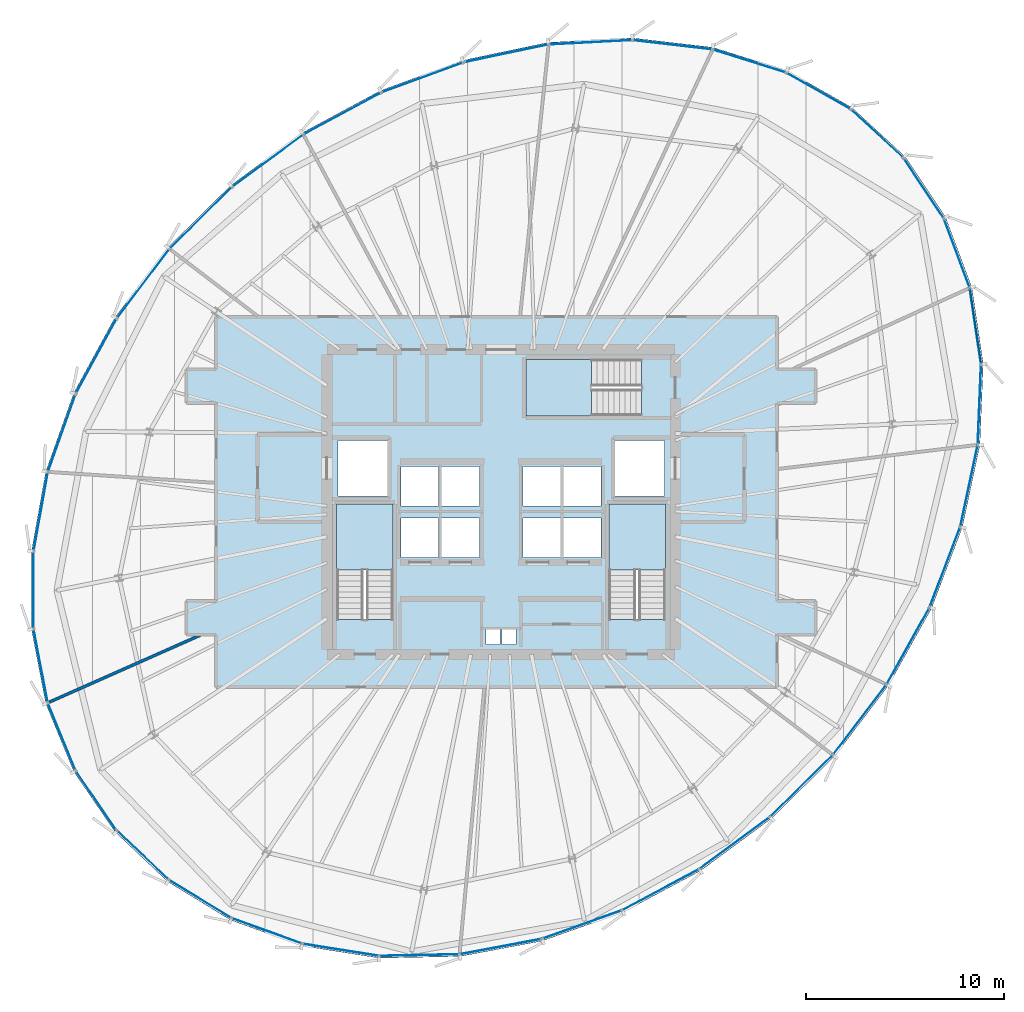
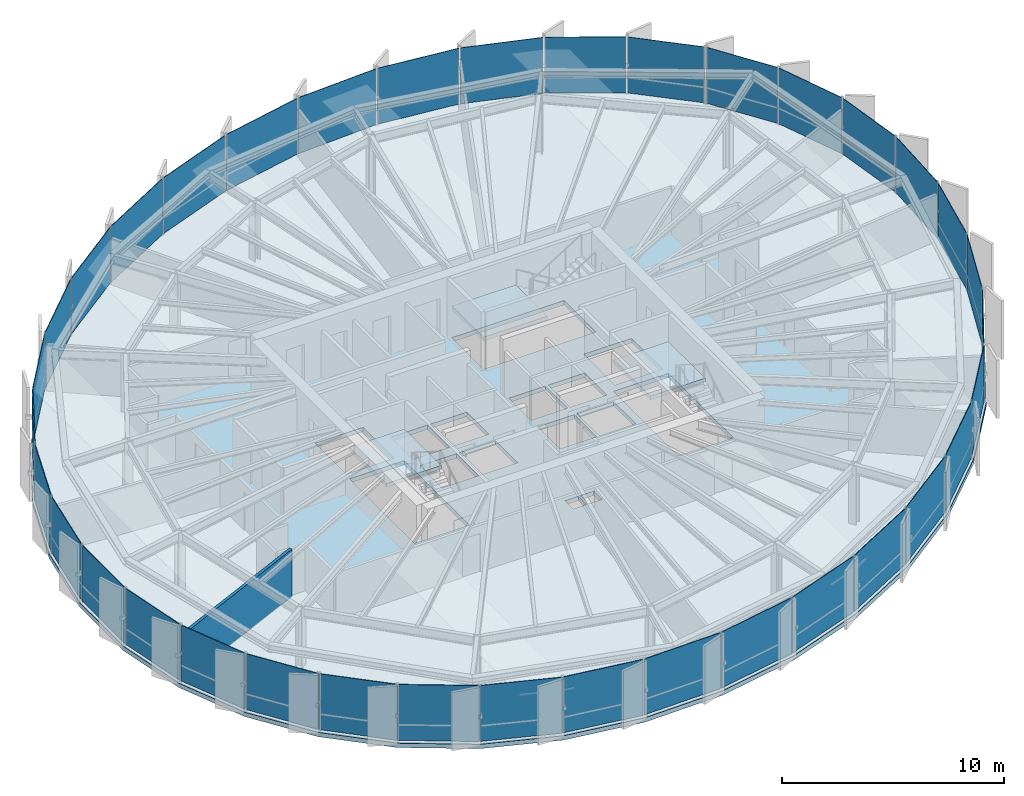
# One storey, part 30 of 36: 36 plates, 4 slabs, 1 member, 1 wall, 9 elements without a shape of their own.
"""IFC4 building model written with IfcOpenShell, lengths in metres."""

from ifc_helpers import new_model, si_unit, direction, frame, frame_2d, origin, origin_2d, place, context, subcontext, project, spatial, polyline, rectangle, hollow_rectangle, outline, extrude, source, transform, mapped, material, layer, layer_set, material_profile, profile_set, type_object, element, aggregate, save


model = new_model("IFC4")

# Units and contexts
model_context = context("Model", 3, precision=1e-05, world=origin(), true_north=direction((0.0, 1.0)))
body_context = subcontext(model_context, "Body", "Model", "MODEL_VIEW")
ifc_project = project(units=[si_unit("LENGTHUNIT", "METRE"), si_unit("AREAUNIT", "SQUARE_METRE"), si_unit("VOLUMEUNIT", "CUBIC_METRE"), si_unit("PLANEANGLEUNIT", "RADIAN"), si_unit("MASSUNIT", "GRAM", prefix="KILO"), si_unit("THERMODYNAMICTEMPERATUREUNIT", "KELVIN")], contexts=[model_context])

# Site, building, storey
site_placement = place(None, origin())
site = spatial("IfcSite", under=ifc_project, at=site_placement, CompositionType="ELEMENT")
building_placement = place(site_placement, origin())
building = spatial("IfcBuilding", under=site, at=building_placement, Name="Kethvar Cultural Tower", CompositionType="ELEMENT")
storey_placement = place(building_placement, frame((0.0, 0.0, 197.39990234375)))
storey = spatial("IfcBuildingStorey", under=building, at=storey_placement, Name="L51", CompositionType="ELEMENT", Elevation=197.39990234375)

# Curtain wall, member
ifc_material_1 = material(Name="Aluminium 6063-T6", Category="aluminium")
ifc_layer_1 = layer(ifc_material_1, 0.179931640625, Name="Aluminium 6063-T6", Category="aluminium")
ifc_layer_set_1 = layer_set([ifc_layer_1], Name="Aluminium 6063-T6 (180 mm)")
curtain_wall_type = type_object("IfcCurtainWallType", Name="CW-SYS-04-Z34", PredefinedType="NOTDEFINED", material=ifc_layer_set_1)
curtain_wall_1_placement = place(storey_placement, origin())
curtain_wall_1 = element("IfcCurtainWall", 1, at=curtain_wall_1_placement, inside=storey, type_object=curtain_wall_type, Name="L51 Curtain Wall Run 06", PredefinedType="NOTDEFINED")
ifc_material_profile = material_profile(ifc_material_1, hollow_rectangle(XDim=0.050048828125, YDim=0.10009765625, WallThickness=0.00390625, at=origin_2d()), Name="Aluminium 6063-T6 — RHS100x50x4")
ifc_profile_set = profile_set([ifc_material_profile], Name="Aluminium 6063-T6 — RHS100x50x4")
member_type = type_object("IfcMemberType", Name="CW-SYS-04-Z34-TRN", PredefinedType="USERDEFINED", material=ifc_profile_set)
shared_shape_1 = source(origin(), body_context, "Body", "SweptSolid", [
    extrude(hollow_rectangle(XDim=0.050048828125, YDim=0.10009765625, WallThickness=0.00390625, at=origin_2d()), origin(), (0.0, 0.0, 1.0), 3.8349609375),
])
member_placement = place(storey_placement, frame((71.055419921875, 34.806396484375, 0.9501953125), z_axis=(-0.147060848495, 0.989127447218, 0.0), x_axis=(-0.989127447218, -0.147060848495, 0.0)))
member = element("IfcMember", 2, at=member_placement, type_object=member_type, Name="CW-L51-R06 Transom 4", ObjectType="TRANSOM", PredefinedType="USERDEFINED", context=body_context, shape_type="MappedRepresentation", body=[
    mapped(shared_shape_1, transform((0.0, 0.0, 0.0), scale=1.0)),
])

# Stair, slab
ifc_material_2 = material(Name="Concrete C40/50", Category="concrete")
stair_type = type_object("IfcStairType", Name="ST-DOGLEG-135", PredefinedType="HALF_TURN_STAIR", material=ifc_material_2)
stair_1_placement = place(storey_placement, origin())
stair_1 = element("IfcStair", 3, at=stair_1_placement, inside=storey, type_object=stair_type, Name="L51 Core Exit Stair 1", PredefinedType="HALF_TURN_STAIR")
ifc_layer_2 = layer(ifc_material_2, 0.199951171875, Name="Concrete C40/50", Category="concrete")
ifc_layer_set_2 = layer_set([ifc_layer_2], Name="Concrete C40/50 (200 mm)")
slab_type_1 = type_object("IfcSlabType", Name="SL-STAIR-LANDING-200", PredefinedType="LANDING", material=ifc_layer_set_2)
slab_1_placement = place(storey_placement, frame((0.0, 0.0, 1.550048828125)))
slab_1 = element("IfcSlab", 4, at=slab_1_placement, type_object=slab_type_1, Name="ST-01 landing 1", PredefinedType="LANDING", context=body_context, shape_type="SweptSolid", body=[
    extrude(outline(polyline([(41.35009765625, 24.3701171875), (41.35009765625, 27.699951171875), (38.489990234375, 27.699951171875), (38.489990234375, 24.3701171875), (41.35009765625, 24.3701171875)])), origin(), (0.0, 0.0, 1.0), 0.199951171875),
])
aggregate(stair_1, [slab_1])

stair_2_placement = place(storey_placement, origin())
stair_2 = element("IfcStair", 5, at=stair_2_placement, inside=storey, type_object=stair_type, Name="L51 Core Exit Stair 2", PredefinedType="HALF_TURN_STAIR")
slab_2_placement = place(storey_placement, frame((0.0, 0.0, 1.550048828125)))
slab_2 = element("IfcSlab", 6, at=slab_2_placement, type_object=slab_type_1, Name="ST-02 landing 1", PredefinedType="LANDING", context=body_context, shape_type="SweptSolid", body=[
    extrude(outline(polyline([(55.110107421875, 24.3701171875), (55.110107421875, 27.699951171875), (52.25, 27.699951171875), (52.25, 24.3701171875), (55.110107421875, 24.3701171875)])), origin(), (0.0, 0.0, 1.0), 0.199951171875),
])
aggregate(stair_2, [slab_2])

stair_3_placement = place(storey_placement, origin())
stair_3 = element("IfcStair", 7, at=stair_3_placement, inside=storey, type_object=stair_type, Name="L51 Core Exit Stair 3", PredefinedType="HALF_TURN_STAIR")
slab_3_placement = place(storey_placement, frame((0.0, 0.0, 1.550048828125)))
slab_3 = element("IfcSlab", 8, at=slab_3_placement, type_object=slab_type_1, Name="ST-03 landing 1", PredefinedType="LANDING", context=body_context, shape_type="SweptSolid", body=[
    extrude(outline(polyline([(51.3798828125, 35.010009765625), (48.050048828125, 35.010009765625), (48.050048828125, 32.14990234375), (51.3798828125, 32.14990234375), (51.3798828125, 35.010009765625)])), origin(), (0.0, 0.0, 1.0), 0.199951171875),
])
aggregate(stair_3, [slab_3])

# Slab
ifc_layer_3 = layer(ifc_material_2, 0.239990234375, Name="Concrete C40/50", Category="concrete")
ifc_layer_set_3 = layer_set([ifc_layer_3], Name="Concrete C40/50 (240 mm)")
slab_type_2 = type_object("IfcSlabType", Name="SL-TOW-240", PredefinedType="FLOOR", material=ifc_layer_set_3)
slab_4_placement = place(storey_placement, frame((0.0, 0.0, -0.239990234375)))
element("IfcSlab", 9, at=slab_4_placement, inside=storey, type_object=slab_type_2, Name="L51 Structural Floor Slab", PredefinedType="FLOOR", context=body_context, shape_type="SweptSolid", body=[
    extrude(outline(polyline([(67.228759765625, 45.247802734375), (64.525146484375, 47.743408203125), (61.246826171875, 49.602294921875), (57.50634765625, 50.77880859375), (53.435791015625, 51.2529296875), (49.1796875, 51.0283203125), (44.8857421875, 50.12744140625), (40.697021484375, 48.58837890625), (36.74365234375, 46.460205078125), (33.135498046875, 43.799072265625), (29.9541015625, 40.661376953125), (27.28466796875, 37.133056640625), (25.2080078125, 33.3212890625), (23.78759765625, 29.341552734375), (23.06640625, 25.315185546875), (23.066162109375, 21.3642578125), (23.787109375, 17.608642578125), (25.20751953125, 14.162841796875), (27.28369140625, 11.131591796875), (29.952880859375, 8.606689453125), (33.13427734375, 6.664794921875), (36.730712890625, 5.365234375), (40.633056640625, 4.747314453125), (44.72265625, 4.829833984375), (48.87548828125, 5.6103515625), (52.96533203125, 7.06494140625), (56.867919921875, 9.149658203125), (60.46435546875, 11.801025390625), (63.6572265625, 14.948486328125), (66.377685546875, 18.520263671875), (68.55322265625, 22.41650390625), (70.114501953125, 26.5166015625), (71.002197265625, 30.68505859375), (71.170654296875, 34.77978515625), (70.593994140625, 38.658447265625), (69.270751953125, 42.18701171875), (67.228759765625, 45.247802734375)]), holes=[polyline([(38.489990234375, 21.85009765625), (38.489990234375, 27.699951171875), (41.35009765625, 27.699951171875), (41.35009765625, 21.85009765625), (38.489990234375, 21.85009765625)]), polyline([(52.25, 21.85009765625), (52.25, 27.699951171875), (55.110107421875, 27.699951171875), (55.110107421875, 21.85009765625), (52.25, 21.85009765625)]), polyline([(53.89990234375, 32.14990234375), (48.050048828125, 32.14990234375), (48.050048828125, 35.010009765625), (53.89990234375, 35.010009765625), (53.89990234375, 32.14990234375)]), polyline([(41.75, 27.0), (43.64990234375, 27.0), (43.64990234375, 25.0), (41.75, 25.0), (41.75, 27.0)]), polyline([(43.800048828125, 27.0), (45.699951171875, 27.0), (45.699951171875, 25.0), (43.800048828125, 25.0), (43.800048828125, 27.0)]), polyline([(47.89990234375, 27.0), (49.800048828125, 27.0), (49.800048828125, 25.0), (47.89990234375, 25.0), (47.89990234375, 27.0)]), polyline([(49.949951171875, 27.0), (51.85009765625, 27.0), (51.85009765625, 25.0), (49.949951171875, 25.0), (49.949951171875, 27.0)]), polyline([(41.75, 29.60009765625), (43.64990234375, 29.60009765625), (43.64990234375, 27.60009765625), (41.75, 27.60009765625), (41.75, 29.60009765625)]), polyline([(43.800048828125, 29.60009765625), (45.699951171875, 29.60009765625), (45.699951171875, 27.60009765625), (43.800048828125, 27.60009765625), (43.800048828125, 29.60009765625)]), polyline([(47.89990234375, 29.60009765625), (49.800048828125, 29.60009765625), (49.800048828125, 27.60009765625), (47.89990234375, 27.60009765625), (47.89990234375, 29.60009765625)]), polyline([(49.949951171875, 29.60009765625), (51.85009765625, 29.60009765625), (51.85009765625, 27.60009765625), (49.949951171875, 27.60009765625), (49.949951171875, 29.60009765625)]), polyline([(38.550048828125, 30.89990234375), (41.050048828125, 30.89990234375), (41.050048828125, 28.10009765625), (38.550048828125, 28.10009765625), (38.550048828125, 30.89990234375)]), polyline([(52.550048828125, 30.89990234375), (55.050048828125, 30.89990234375), (55.050048828125, 28.10009765625), (52.550048828125, 28.10009765625), (52.550048828125, 30.89990234375)]), polyline([(46.050048828125, 21.35009765625), (46.75, 21.35009765625), (46.75, 20.60009765625), (46.050048828125, 20.60009765625), (46.050048828125, 21.35009765625)]), polyline([(46.85009765625, 21.35009765625), (47.550048828125, 21.35009765625), (47.550048828125, 20.60009765625), (46.85009765625, 20.60009765625), (46.85009765625, 21.35009765625)])]), origin(), (0.0, 0.0, 1.0), 0.239990234375),
])

# Curtain wall, plate
curtain_wall_2_placement = place(storey_placement, origin())
curtain_wall_2 = element("IfcCurtainWall", 10, at=curtain_wall_2_placement, inside=storey, type_object=curtain_wall_type, Name="L51 Curtain Wall Run 04", PredefinedType="NOTDEFINED")
ifc_material_3 = material(Name="Insulated Low-E Solar Glass", Category="glass")
ifc_layer_4 = layer(ifc_material_3, 0.030029296875, Name="Insulated Low-E Solar Glass", Category="glass")
ifc_layer_set_4 = layer_set([ifc_layer_4], Name="Insulated Low-E Solar Glass (30 mm)")
plate_type = type_object("IfcPlateType", Name="CW-SYS-04-Z34-PNL", PredefinedType="CURTAIN_PANEL", material=ifc_layer_set_4)
shared_shape_2 = source(origin(), body_context, "Body", "SweptSolid", [
    extrude(rectangle(XDim=3.73779296875, YDim=0.030029296875, at=origin_2d()), origin(), (0.0, 0.0, 1.0), 3.080078125),
])
plate_1_placement = place(storey_placement, frame((34.9697265625, 6.118408203125, 0.090087890625), z_axis=(0.0, 0.0, 1.0), x_axis=(0.940478084153, -0.339854341194, 0.0)))
plate_1 = element("IfcPlate", 11, at=plate_1_placement, type_object=plate_type, Name="CW-L51-R04 Vision Glazing Panel 3", PredefinedType="CURTAIN_PANEL", context=body_context, shape_type="MappedRepresentation", body=[
    mapped(shared_shape_2, transform((0.0, 0.0, 0.0), scale=1.0)),
])

curtain_wall_3_placement = place(storey_placement, origin())
curtain_wall_3 = element("IfcCurtainWall", 12, at=curtain_wall_3_placement, inside=storey, type_object=curtain_wall_type, Name="L51 Curtain Wall Run 01", PredefinedType="NOTDEFINED")
shared_shape_3 = source(origin(), body_context, "Body", "SweptSolid", [
    extrude(rectangle(XDim=3.682373046875, YDim=0.030029296875, at=origin_2d()), origin(), (0.0, 0.0, 1.0), 3.080078125),
])
plate_2_placement = place(storey_placement, frame((62.831787109375, 48.5771484375, 0.090087890625), z_axis=(0.0, 0.0, 1.0), x_axis=(-0.869899819777, 0.493228449658, 0.0)))
plate_2 = element("IfcPlate", 13, at=plate_2_placement, type_object=plate_type, Name="CW-L51-R01 Vision Glazing Panel 2", PredefinedType="CURTAIN_PANEL", context=body_context, shape_type="MappedRepresentation", body=[
    mapped(shared_shape_3, transform((0.0, 0.0, 0.0), scale=1.0)),
])

# Plate
shared_shape_4 = source(origin(), body_context, "Body", "SweptSolid", [
    extrude(rectangle(XDim=3.68212890625, YDim=0.030029296875, at=origin_2d()), origin(), (0.0, 0.0, 1.0), 3.080078125),
])
plate_3_placement = place(storey_placement, frame((69.829345703125, 40.384033203125, 0.090087890625), z_axis=(0.0, 0.0, 1.0), x_axis=(-0.351090018331, 0.93634171061, 0.0)))
plate_3 = element("IfcPlate", 14, at=plate_3_placement, type_object=plate_type, Name="CW-L51-R06 Vision Glazing Panel 5", PredefinedType="CURTAIN_PANEL", context=body_context, shape_type="MappedRepresentation", body=[
    mapped(shared_shape_4, transform((0.0, 0.0, 0.0), scale=1.0)),
])

shared_shape_5 = source(origin(), body_context, "Body", "SweptSolid", [
    extrude(rectangle(XDim=3.593017578125, YDim=0.030029296875, at=origin_2d()), origin(), (0.0, 0.0, 1.0), 3.080078125),
])
plate_4_placement = place(storey_placement, frame((65.80224609375, 46.414794921875, 0.090087890625), z_axis=(0.0, 0.0, 1.0), x_axis=(-0.734796222766, 0.678287926333, 0.0)))
plate_4 = element("IfcPlate", 15, at=plate_4_placement, type_object=plate_type, Name="CW-L51-R01 Vision Glazing Panel 1", PredefinedType="CURTAIN_PANEL", context=body_context, shape_type="MappedRepresentation", body=[
    mapped(shared_shape_5, transform((0.0, 0.0, 0.0), scale=1.0)),
])

plate_5_placement = place(storey_placement, frame((68.158203125, 43.656494140625, 0.090087890625), z_axis=(0.0, 0.0, 1.0), x_axis=(-0.554989622383, 0.831857270839, 0.0)))
plate_5 = element("IfcPlate", 16, at=plate_5_placement, type_object=plate_type, Name="CW-L51-R06 Vision Glazing Panel 6", PredefinedType="CURTAIN_PANEL", context=body_context, shape_type="MappedRepresentation", body=[
    mapped(shared_shape_5, transform((0.0, 0.0, 0.0), scale=1.0)),
])

shared_shape_6 = source(origin(), body_context, "Body", "SweptSolid", [
    extrude(rectangle(XDim=3.8349609375, YDim=0.030029296875, at=origin_2d()), origin(), (0.0, 0.0, 1.0), 3.080078125),
])
plate_6_placement = place(storey_placement, frame((59.343505859375, 50.08544921875, 0.090087890625), z_axis=(0.0, 0.0, 1.0), x_axis=(-0.953937123355, 0.300006607737, 0.0)))
plate_6 = element("IfcPlate", 17, at=plate_6_placement, type_object=plate_type, Name="CW-L51-R01 Vision Glazing Panel 3", PredefinedType="CURTAIN_PANEL", context=body_context, shape_type="MappedRepresentation", body=[
    mapped(shared_shape_6, transform((0.0, 0.0, 0.0), scale=1.0)),
])

plate_7_placement = place(storey_placement, frame((70.7734375, 36.702880859375, 0.090087890625), z_axis=(0.0, 0.0, 1.0), x_axis=(-0.147101648436, 0.989121380331, 0.0)))
plate_7 = element("IfcPlate", 18, at=plate_7_placement, type_object=plate_type, Name="CW-L51-R06 Vision Glazing Panel 4", PredefinedType="CURTAIN_PANEL", context=body_context, shape_type="MappedRepresentation", body=[
    mapped(shared_shape_6, transform((0.0, 0.0, 0.0), scale=1.0)),
])

shared_shape_7 = source(origin(), body_context, "Body", "SweptSolid", [
    extrude(rectangle(XDim=4.01171875, YDim=0.030029296875, at=origin_2d()), origin(), (0.0, 0.0, 1.0), 3.080078125),
])
plate_8_placement = place(storey_placement, frame((55.458251953125, 50.906494140625, 0.090087890625), z_axis=(0.0, 0.0, 1.0), x_axis=(-0.993280168002, 0.115734644136, 0.0)))
plate_8 = element("IfcPlate", 19, at=plate_8_placement, type_object=plate_type, Name="CW-L51-R01 Vision Glazing Panel 4", PredefinedType="CURTAIN_PANEL", context=body_context, shape_type="MappedRepresentation", body=[
    mapped(shared_shape_7, transform((0.0, 0.0, 0.0), scale=1.0)),
])

plate_9_placement = place(storey_placement, frame((70.9765625, 32.737060546875, 0.090087890625), z_axis=(0.0, 0.0, 1.0), x_axis=(0.041090931659, 0.999155411002, 0.0)))
plate_9 = element("IfcPlate", 20, at=plate_9_placement, type_object=plate_type, Name="CW-L51-R06 Vision Glazing Panel 3", PredefinedType="CURTAIN_PANEL", context=body_context, shape_type="MappedRepresentation", body=[
    mapped(shared_shape_7, transform((0.0, 0.0, 0.0), scale=1.0)),
])

shared_shape_8 = source(origin(), body_context, "Body", "SweptSolid", [
    extrude(rectangle(XDim=4.17578125, YDim=0.030029296875, at=origin_2d()), origin(), (0.0, 0.0, 1.0), 3.080078125),
])
plate_10_placement = place(storey_placement, frame((51.3134765625, 51.031005859375, 0.090087890625), z_axis=(0.0, 0.0, 1.0), x_axis=(-0.998610285549, -0.052701969561, 0.0)))
plate_10 = element("IfcPlate", 21, at=plate_10_placement, type_object=plate_type, Name="CW-L51-R01 Vision Glazing Panel 5", PredefinedType="CURTAIN_PANEL", context=body_context, shape_type="MappedRepresentation", body=[
    mapped(shared_shape_8, transform((0.0, 0.0, 0.0), scale=1.0)),
])

plate_11_placement = place(storey_placement, frame((70.450927734375, 28.623779296875, 0.090087890625), z_axis=(0.0, 0.0, 1.0), x_axis=(0.208287257198, 0.978067696271, 0.0)))
plate_11 = element("IfcPlate", 22, at=plate_11_placement, type_object=plate_type, Name="CW-L51-R06 Vision Glazing Panel 2", PredefinedType="CURTAIN_PANEL", context=body_context, shape_type="MappedRepresentation", body=[
    mapped(shared_shape_8, transform((0.0, 0.0, 0.0), scale=1.0)),
])

shared_shape_9 = source(origin(), body_context, "Body", "SweptSolid", [
    extrude(rectangle(XDim=4.301025390625, YDim=0.030029296875, at=origin_2d()), origin(), (0.0, 0.0, 1.0), 3.080078125),
])
plate_12_placement = place(storey_placement, frame((47.055419921875, 50.47021484375, 0.090087890625), z_axis=(0.0, 0.0, 1.0), x_axis=(-0.978692143477, -0.205333115442, 0.0)))
plate_12 = element("IfcPlate", 23, at=plate_12_placement, type_object=plate_type, Name="CW-L51-R01 Vision Glazing Panel 6", PredefinedType="CURTAIN_PANEL", context=body_context, shape_type="MappedRepresentation", body=[
    mapped(shared_shape_9, transform((0.0, 0.0, 0.0), scale=1.0)),
])

aggregate(curtain_wall_3, [plate_4, plate_2, plate_6, plate_8, plate_10, plate_12])

# Curtain wall, plates
curtain_wall_4_placement = place(storey_placement, origin())
curtain_wall_4 = element("IfcCurtainWall", 24, at=curtain_wall_4_placement, inside=storey, type_object=curtain_wall_type, Name="L51 Curtain Wall Run 02", PredefinedType="NOTDEFINED")
shared_shape_10 = source(origin(), body_context, "Body", "SweptSolid", [
    extrude(rectangle(XDim=4.3759765625, YDim=0.030029296875, at=origin_2d()), origin(), (0.0, 0.0, 1.0), 3.080078125),
])
plate_13_placement = place(storey_placement, frame((42.829345703125, 49.254638671875, 0.090087890625), z_axis=(0.0, 0.0, 1.0), x_axis=(-0.938637578593, -0.344905053679, 0.0)))
plate_13 = element("IfcPlate", 25, at=plate_13_placement, type_object=plate_type, Name="CW-L51-R02 Vision Glazing Panel 1", PredefinedType="CURTAIN_PANEL", context=body_context, shape_type="MappedRepresentation", body=[
    mapped(shared_shape_10, transform((0.0, 0.0, 0.0), scale=1.0)),
])
shared_shape_11 = source(origin(), body_context, "Body", "SweptSolid", [
    extrude(rectangle(XDim=4.403564453125, YDim=0.030029296875, at=origin_2d()), origin(), (0.0, 0.0, 1.0), 3.080078125),
])
plate_14_placement = place(storey_placement, frame((38.7724609375, 47.427490234375, 0.090087890625), z_axis=(0.0, 0.0, 1.0), x_axis=(-0.880518722157, -0.474011371098, 0.0)))
plate_14 = element("IfcPlate", 26, at=plate_14_placement, type_object=plate_type, Name="CW-L51-R02 Vision Glazing Panel 2", PredefinedType="CURTAIN_PANEL", context=body_context, shape_type="MappedRepresentation", body=[
    mapped(shared_shape_11, transform((0.0, 0.0, 0.0), scale=1.0)),
])

# Curtain wall, plate
curtain_wall_5_placement = place(storey_placement, origin())
curtain_wall_5 = element("IfcCurtainWall", 27, at=curtain_wall_5_placement, inside=storey, type_object=curtain_wall_type, Name="L51 Curtain Wall Run 05", PredefinedType="NOTDEFINED")
plate_15_placement = place(storey_placement, frame((64.929931640625, 16.801025390625, 0.090087890625), z_axis=(0.0, 0.0, 1.0), x_axis=(0.605918979802, 0.79552636029, 0.0)))
plate_15 = element("IfcPlate", 28, at=plate_15_placement, type_object=plate_type, Name="CW-L51-R05 Vision Glazing Panel 5", PredefinedType="CURTAIN_PANEL", context=body_context, shape_type="MappedRepresentation", body=[
    mapped(shared_shape_11, transform((0.0, 0.0, 0.0), scale=1.0)),
])

# Plate
shared_shape_12 = source(origin(), body_context, "Body", "SweptSolid", [
    extrude(rectangle(XDim=4.396728515625, YDim=0.030029296875, at=origin_2d()), origin(), (0.0, 0.0, 1.0), 3.080078125),
])
plate_16_placement = place(storey_placement, frame((35.0048828125, 45.041015625, 0.090087890625), z_axis=(0.0, 0.0, 1.0), x_axis=(-0.804779854275, -0.593573404182, 0.0)))
plate_16 = element("IfcPlate", 29, at=plate_16_placement, type_object=plate_type, Name="CW-L51-R02 Vision Glazing Panel 3", PredefinedType="CURTAIN_PANEL", context=body_context, shape_type="MappedRepresentation", body=[
    mapped(shared_shape_12, transform((0.0, 0.0, 0.0), scale=1.0)),
])

shared_shape_13 = source(origin(), body_context, "Body", "SweptSolid", [
    extrude(rectangle(XDim=4.3818359375, YDim=0.030029296875, at=origin_2d()), origin(), (0.0, 0.0, 1.0), 3.080078125),
])
plate_17_placement = place(storey_placement, frame((31.6220703125, 42.15185546875, 0.090087890625), z_axis=(0.0, 0.0, 1.0), x_axis=(-0.711989280367, -0.702190333629, 0.0)))
plate_17 = element("IfcPlate", 30, at=plate_17_placement, type_object=plate_type, Name="CW-L51-R02 Vision Glazing Panel 4", PredefinedType="CURTAIN_PANEL", context=body_context, shape_type="MappedRepresentation", body=[
    mapped(shared_shape_13, transform((0.0, 0.0, 0.0), scale=1.0)),
])

plate_18_placement = place(storey_placement, frame((58.600830078125, 10.56396484375, 0.090087890625), z_axis=(0.0, 0.0, 1.0), x_axis=(0.804935223848, 0.59336269297, 0.0)))
plate_18 = element("IfcPlate", 31, at=plate_18_placement, type_object=plate_type, Name="CW-L51-R05 Vision Glazing Panel 3", PredefinedType="CURTAIN_PANEL", context=body_context, shape_type="MappedRepresentation", body=[
    mapped(shared_shape_13, transform((0.0, 0.0, 0.0), scale=1.0)),
])

shared_shape_14 = source(origin(), body_context, "Body", "SweptSolid", [
    extrude(rectangle(XDim=4.337890625, YDim=0.030029296875, at=origin_2d()), origin(), (0.0, 0.0, 1.0), 3.080078125),
])
plate_19_placement = place(storey_placement, frame((28.707275390625, 38.830810546875, 0.090087890625), z_axis=(0.0, 0.0, 1.0), x_axis=(-0.603361101749, -0.797468106507, 0.0)))
plate_19 = element("IfcPlate", 32, at=plate_19_placement, type_object=plate_type, Name="CW-L51-R02 Vision Glazing Panel 5", PredefinedType="CURTAIN_PANEL", context=body_context, shape_type="MappedRepresentation", body=[
    mapped(shared_shape_14, transform((0.0, 0.0, 0.0), scale=1.0)),
])

plate_20_placement = place(storey_placement, frame((54.86474609375, 8.204345703125, 0.090087890625), z_axis=(0.0, 0.0, 1.0), x_axis=(0.882019974107, 0.471212017331, 0.0)))
plate_20 = element("IfcPlate", 33, at=plate_20_placement, type_object=plate_type, Name="CW-L51-R05 Vision Glazing Panel 2", PredefinedType="CURTAIN_PANEL", context=body_context, shape_type="MappedRepresentation", body=[
    mapped(shared_shape_14, transform((0.0, 0.0, 0.0), scale=1.0)),
])

shared_shape_15 = source(origin(), body_context, "Body", "SweptSolid", [
    extrude(rectangle(XDim=4.25439453125, YDim=0.030029296875, at=origin_2d()), origin(), (0.0, 0.0, 1.0), 3.080078125),
])
plate_21_placement = place(storey_placement, frame((26.343017578125, 35.174560546875, 0.090087890625), z_axis=(0.0, 0.0, 1.0), x_axis=(-0.478400681446, -0.878141667382, 0.0)))
plate_21 = element("IfcPlate", 34, at=plate_21_placement, type_object=plate_type, Name="CW-L51-R02 Vision Glazing Panel 6", PredefinedType="CURTAIN_PANEL", context=body_context, shape_type="MappedRepresentation", body=[
    mapped(shared_shape_15, transform((0.0, 0.0, 0.0), scale=1.0)),
])

aggregate(curtain_wall_4, [plate_13, plate_14, plate_16, plate_17, plate_19, plate_21])

plate_22_placement = place(storey_placement, frame((50.883544921875, 6.44140625, 0.090087890625), z_axis=(0.0, 0.0, 1.0), x_axis=(0.94218033893, 0.335106265136, 0.0)))
plate_22 = element("IfcPlate", 35, at=plate_22_placement, type_object=plate_type, Name="CW-L51-R05 Vision Glazing Panel 1", PredefinedType="CURTAIN_PANEL", context=body_context, shape_type="MappedRepresentation", body=[
    mapped(shared_shape_15, transform((0.0, 0.0, 0.0), scale=1.0)),
])

# Curtain wall, plate
curtain_wall_6_placement = place(storey_placement, origin())
curtain_wall_6 = element("IfcCurtainWall", 36, at=curtain_wall_6_placement, inside=storey, type_object=curtain_wall_type, Name="L51 Curtain Wall Run 03", PredefinedType="NOTDEFINED")
shared_shape_16 = source(origin(), body_context, "Body", "SweptSolid", [
    extrude(rectangle(XDim=4.13916015625, YDim=0.030029296875, at=origin_2d()), origin(), (0.0, 0.0, 1.0), 3.080078125),
])
plate_23_placement = place(storey_placement, frame((24.601318359375, 31.29443359375, 0.090087890625), z_axis=(0.0, 0.0, 1.0), x_axis=(-0.336158481399, -0.941805433932, 0.0)))
plate_23 = element("IfcPlate", 37, at=plate_23_placement, type_object=plate_type, Name="CW-L51-R03 Vision Glazing Panel 1", PredefinedType="CURTAIN_PANEL", context=body_context, shape_type="MappedRepresentation", body=[
    mapped(shared_shape_16, transform((0.0, 0.0, 0.0), scale=1.0)),
])

# Plate
plate_24_placement = place(storey_placement, frame((46.77880859375, 5.328125, 0.090087890625), z_axis=(0.0, 0.0, 1.0), x_axis=(0.982793794829, 0.184706136457, 0.0)))
plate_24 = element("IfcPlate", 38, at=plate_24_placement, type_object=plate_type, Name="CW-L51-R04 Vision Glazing Panel 6", PredefinedType="CURTAIN_PANEL", context=body_context, shape_type="MappedRepresentation", body=[
    mapped(shared_shape_16, transform((0.0, 0.0, 0.0), scale=1.0)),
])

shared_shape_17 = source(origin(), body_context, "Body", "SweptSolid", [
    extrude(rectangle(XDim=4.004150390625, YDim=0.030029296875, at=origin_2d()), origin(), (0.0, 0.0, 1.0), 3.080078125),
])
plate_25_placement = place(storey_placement, frame((23.535400390625, 27.308837890625, 0.090087890625), z_axis=(0.0, 0.0, 1.0), x_axis=(-0.176311700359, -0.984334386434, 0.0)))
plate_25 = element("IfcPlate", 39, at=plate_25_placement, type_object=plate_type, Name="CW-L51-R03 Vision Glazing Panel 2", PredefinedType="CURTAIN_PANEL", context=body_context, shape_type="MappedRepresentation", body=[
    mapped(shared_shape_17, transform((0.0, 0.0, 0.0), scale=1.0)),
])

plate_26_placement = place(storey_placement, frame((42.67578125, 4.8984375, 0.090087890625), z_axis=(0.0, 0.0, 1.0), x_axis=(0.999796471292, 0.020174637336, 0.0)))
plate_26 = element("IfcPlate", 40, at=plate_26_placement, type_object=plate_type, Name="CW-L51-R04 Vision Glazing Panel 5", PredefinedType="CURTAIN_PANEL", context=body_context, shape_type="MappedRepresentation", body=[
    mapped(shared_shape_17, transform((0.0, 0.0, 0.0), scale=1.0)),
])

shared_shape_18 = source(origin(), body_context, "Body", "SweptSolid", [
    extrude(rectangle(XDim=3.864501953125, YDim=0.030029296875, at=origin_2d()), origin(), (0.0, 0.0, 1.0), 3.080078125),
])
plate_27_placement = place(storey_placement, frame((23.17626953125, 23.339599609375, 0.090087890625), z_axis=(0.0, 0.0, 1.0), x_axis=(-5.2359878e-05, -0.999999998629, 0.0)))
plate_27 = element("IfcPlate", 41, at=plate_27_placement, type_object=plate_type, Name="CW-L51-R03 Vision Glazing Panel 3", PredefinedType="CURTAIN_PANEL", context=body_context, shape_type="MappedRepresentation", body=[
    mapped(shared_shape_18, transform((0.0, 0.0, 0.0), scale=1.0)),
])

plate_28_placement = place(storey_placement, frame((38.698974609375, 5.164794921875, 0.090087890625), z_axis=(0.0, 0.0, 1.0), x_axis=(0.987696530131, -0.156382749585, 0.0)))
plate_28 = element("IfcPlate", 42, at=plate_28_placement, type_object=plate_type, Name="CW-L51-R04 Vision Glazing Panel 4", PredefinedType="CURTAIN_PANEL", context=body_context, shape_type="MappedRepresentation", body=[
    mapped(shared_shape_18, transform((0.0, 0.0, 0.0), scale=1.0)),
])

shared_shape_19 = source(origin(), body_context, "Body", "SweptSolid", [
    extrude(rectangle(XDim=3.737548828125, YDim=0.030029296875, at=origin_2d()), origin(), (0.0, 0.0, 1.0), 3.080078125),
])
plate_29_placement = place(storey_placement, frame((23.534912109375, 19.507080078125, 0.090087890625), z_axis=(0.0, 0.0, 1.0), x_axis=(0.188546984321, -0.982064170359, 0.0)))
plate_29 = element("IfcPlate", 43, at=plate_29_placement, type_object=plate_type, Name="CW-L51-R03 Vision Glazing Panel 4", PredefinedType="CURTAIN_PANEL", context=body_context, shape_type="MappedRepresentation", body=[
    mapped(shared_shape_19, transform((0.0, 0.0, 0.0), scale=1.0)),
])

shared_shape_20 = source(origin(), body_context, "Body", "SweptSolid", [
    extrude(rectangle(XDim=3.640625, YDim=0.030029296875, at=origin_2d()), origin(), (0.0, 0.0, 1.0), 3.080078125),
])
plate_30_placement = place(storey_placement, frame((24.59912109375, 15.927734375, 0.090087890625), z_axis=(0.0, 0.0, 1.0), x_axis=(0.38105423992, -0.924552684404, 0.0)))
plate_30 = element("IfcPlate", 44, at=plate_30_placement, type_object=plate_type, Name="CW-L51-R03 Vision Glazing Panel 5", PredefinedType="CURTAIN_PANEL", context=body_context, shape_type="MappedRepresentation", body=[
    mapped(shared_shape_20, transform((0.0, 0.0, 0.0), scale=1.0)),
])

plate_31_placement = place(storey_placement, frame((31.600830078125, 7.7294921875, 0.090087890625), z_axis=(0.0, 0.0, 1.0), x_axis=(0.853550797275, -0.521009631841, 0.0)))
plate_31 = element("IfcPlate", 45, at=plate_31_placement, type_object=plate_type, Name="CW-L51-R04 Vision Glazing Panel 2", PredefinedType="CURTAIN_PANEL", context=body_context, shape_type="MappedRepresentation", body=[
    mapped(shared_shape_20, transform((0.0, 0.0, 0.0), scale=1.0)),
])

shared_shape_21 = source(origin(), body_context, "Body", "SweptSolid", [
    extrude(rectangle(XDim=3.587890625, YDim=0.030029296875, at=origin_2d()), origin(), (0.0, 0.0, 1.0), 3.080078125),
])
plate_32_placement = place(storey_placement, frame((26.336181640625, 12.70947265625, 0.090087890625), z_axis=(0.0, 0.0, 1.0), x_axis=(0.565082205495, -0.825034605961, 0.0)))
plate_32 = element("IfcPlate", 46, at=plate_32_placement, type_object=plate_type, Name="CW-L51-R03 Vision Glazing Panel 6", PredefinedType="CURTAIN_PANEL", context=body_context, shape_type="MappedRepresentation", body=[
    mapped(shared_shape_21, transform((0.0, 0.0, 0.0), scale=1.0)),
])

aggregate(curtain_wall_6, [plate_23, plate_25, plate_27, plate_29, plate_30, plate_32])

plate_33_placement = place(storey_placement, frame((28.694091796875, 9.948974609375, 0.090087890625), z_axis=(0.0, 0.0, 1.0), x_axis=(0.726478728374, -0.687188953069, 0.0)))
plate_33 = element("IfcPlate", 47, at=plate_33_placement, type_object=plate_type, Name="CW-L51-R04 Vision Glazing Panel 1", PredefinedType="CURTAIN_PANEL", context=body_context, shape_type="MappedRepresentation", body=[
    mapped(shared_shape_21, transform((0.0, 0.0, 0.0), scale=1.0)),
])

aggregate(curtain_wall_2, [plate_33, plate_31, plate_1, plate_28, plate_26, plate_24])

shared_shape_22 = source(origin(), body_context, "Body", "SweptSolid", [
    extrude(rectangle(XDim=4.39697265625, YDim=0.030029296875, at=origin_2d()), origin(), (0.0, 0.0, 1.0), 3.080078125),
])
plate_34_placement = place(storey_placement, frame((61.983642578125, 13.453125, 0.090087890625), z_axis=(0.0, 0.0, 1.0), x_axis=(0.712148583972, 0.702028770313, 0.0)))
plate_34 = element("IfcPlate", 48, at=plate_34_placement, type_object=plate_type, Name="CW-L51-R05 Vision Glazing Panel 4", PredefinedType="CURTAIN_PANEL", context=body_context, shape_type="MappedRepresentation", body=[
    mapped(shared_shape_22, transform((0.0, 0.0, 0.0), scale=1.0)),
])

shared_shape_23 = source(origin(), body_context, "Body", "SweptSolid", [
    extrude(rectangle(XDim=4.376220703125, YDim=0.030029296875, at=origin_2d()), origin(), (0.0, 0.0, 1.0), 3.080078125),
])
plate_35_placement = place(storey_placement, frame((67.369384765625, 20.52197265625, 0.090087890625), z_axis=(0.0, 0.0, 1.0), x_axis=(0.48750920646, 0.873117846351, 0.0)))
plate_35 = element("IfcPlate", 49, at=plate_35_placement, type_object=plate_type, Name="CW-L51-R05 Vision Glazing Panel 6", PredefinedType="CURTAIN_PANEL", context=body_context, shape_type="MappedRepresentation", body=[
    mapped(shared_shape_23, transform((0.0, 0.0, 0.0), scale=1.0)),
])

aggregate(curtain_wall_5, [plate_22, plate_20, plate_18, plate_34, plate_15, plate_35])

shared_shape_24 = source(origin(), body_context, "Body", "SweptSolid", [
    extrude(rectangle(XDim=4.30078125, YDim=0.030029296875, at=origin_2d()), origin(), (0.0, 0.0, 1.0), 3.080078125),
])
plate_36_placement = place(storey_placement, frame((69.231201171875, 24.505615234375, 0.090087890625), z_axis=(0.0, 0.0, 1.0), x_axis=(0.35588999543, 0.934527854669, 0.0)))
plate_36 = element("IfcPlate", 50, at=plate_36_placement, type_object=plate_type, Name="CW-L51-R06 Vision Glazing Panel 1", PredefinedType="CURTAIN_PANEL", context=body_context, shape_type="MappedRepresentation", body=[
    mapped(shared_shape_24, transform((0.0, 0.0, 0.0), scale=1.0)),
])

aggregate(curtain_wall_1, [plate_36, plate_11, plate_9, member, plate_7, plate_3, plate_5])

# Wall
ifc_material_4 = material(Name="Gypsum Acoustic Partition")
ifc_layer_5 = layer(ifc_material_4, 0.14990234375, Name="Gypsum Acoustic Partition")
ifc_layer_set_5 = layer_set([ifc_layer_5], Name="Gypsum Acoustic Partition (150 mm)")
wall_type = type_object("IfcWallType", Name="WL-PART-150", PredefinedType="PARTITIONING", material=ifc_layer_set_5)
wall_placement = place(storey_placement, frame((31.59765625, 21.067626953125, 0.0), z_axis=(0.0, 0.0, 1.0), x_axis=(-0.91421466332, -0.405230242419, 0.0)))
element("IfcWall", 51, at=wall_placement, inside=storey, type_object=wall_type, Name="L51 Radial Partition Wall 01", PredefinedType="PARTITIONING", context=body_context, shape_type="SweptSolid", body=[
    extrude(rectangle(XDim=8.332275390625, YDim=0.14990234375, at=frame_2d((4.166015625, 0.0))), origin(), (0.0, 0.0, 1.0), 2.59521484375),
])

save(model, "model.ifc")
